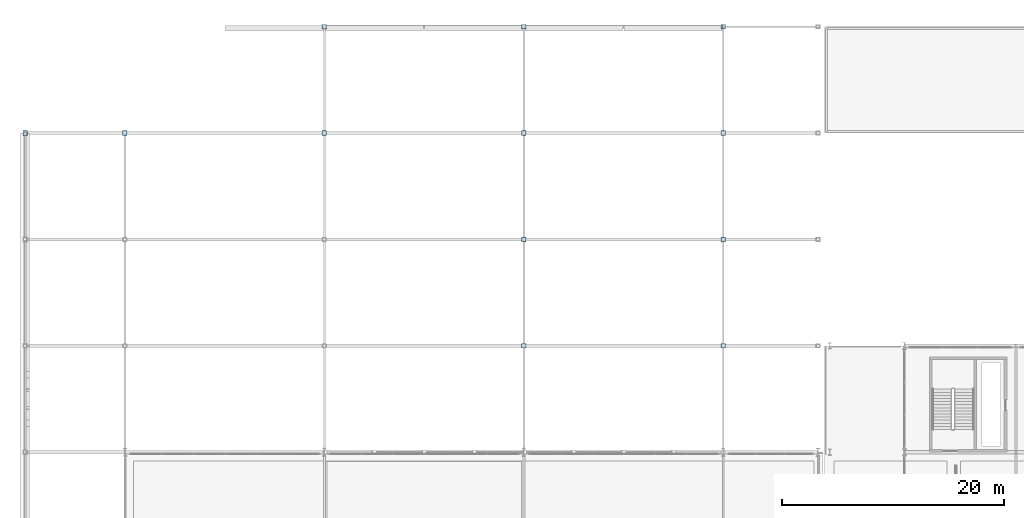
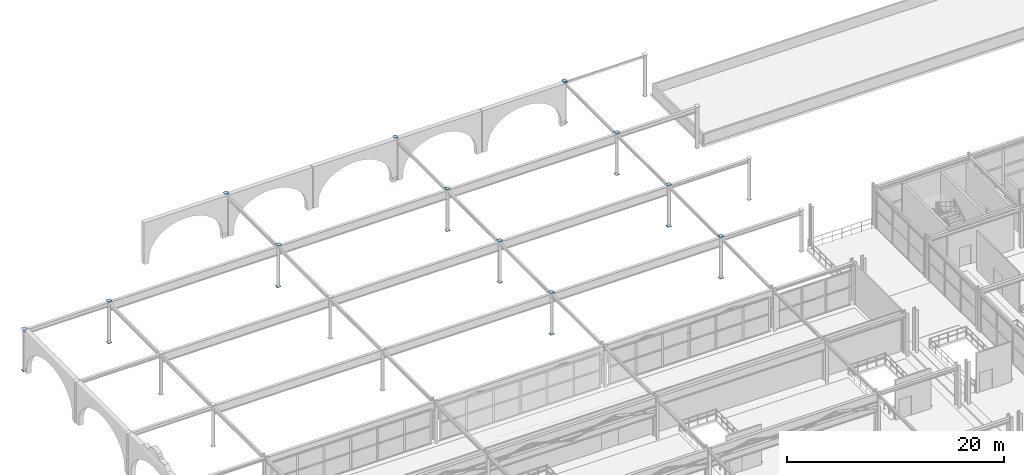
# One storey, part 69 of 125: 26 plates.
"""IFC4 building model written with IfcOpenShell, lengths in metres."""

from ifc_helpers import new_model, si_unit, direction, frame, origin, origin_2d, place, context, subcontext, project, spatial, rectangle, extrude, material, layer, layer_set, type_object, element, save


model = new_model("IFC4")

# Units and contexts
model_context = context("Model", 3, precision=1e-05, world=origin(), true_north=direction((0.0, 1.0)))
body_context = subcontext(model_context, "Body", "Model", "MODEL_VIEW")
ifc_project = project(units=[si_unit("LENGTHUNIT", "METRE"), si_unit("AREAUNIT", "SQUARE_METRE"), si_unit("VOLUMEUNIT", "CUBIC_METRE"), si_unit("PLANEANGLEUNIT", "RADIAN"), si_unit("MASSUNIT", "GRAM", prefix="KILO")], contexts=[model_context])

# Site, building, storey
site_placement = place(None, origin())
site = spatial("IfcSite", under=ifc_project, at=site_placement, CompositionType="ELEMENT")
building_placement = place(site_placement, origin())
building = spatial("IfcBuilding", under=site, at=building_placement, Name="Myrtia Square Station", CompositionType="ELEMENT")
storey_placement = place(building_placement, frame((0.0, 0.0, 6.0)))
storey = spatial("IfcBuildingStorey", under=building, at=storey_placement, Name="L01", CompositionType="ELEMENT", Elevation=6.0)

# Plates
ifc_material = material(Name="Steel S355", Category="steel")
ifc_layer_1 = layer(ifc_material, 0.01611328125, Name="Steel S355")
ifc_layer_set_1 = layer_set([ifc_layer_1], Name="Steel S355")
plate_type_1 = type_object("IfcPlateType", Name="PLT-GUS16", PredefinedType="USERDEFINED", material=ifc_layer_set_1)
for number, where, z_axis, x_axis, name in (
    (1, (63.050048828125, 124.800048828125, 4.421875), (0.0, 0.0, 1.0), (1.0, 0.0, 0.0), "Truss node gusset plate SPN-L01-0139-1"),
    (2, (0.0, 115.14990234375, 4.421875), (0.0, 0.0, 1.0), (0.0, 1.0, 0.0), "Truss node gusset plate SPNY-L01-0150-2"),
):
    element("IfcPlate", number, at=place(storey_placement, frame(where, z_axis=z_axis, x_axis=x_axis)), inside=storey, type_object=plate_type_1, Name=name, ObjectType="GUSSET PLATE", PredefinedType="USERDEFINED", context=body_context, shape_type="SweptSolid", body=[
        extrude(rectangle(XDim=0.280029296875, YDim=0.280029296875, at=origin_2d()), origin(), (0.0, 0.0, 1.0), 0.01611328125),
    ])
ifc_layer_2 = layer(ifc_material, 0.02001953125, Name="Steel S355")
ifc_layer_set_2 = layer_set([ifc_layer_2], Name="Steel S355")
plate_type_2 = type_object("IfcPlateType", Name="PLT-GUS20", PredefinedType="USERDEFINED", material=ifc_layer_set_2)
for number, where, z_axis, x_axis, name in (
    (3, (0.0, 115.199951171875, -0.010009765625), (0.0, 0.0, 1.0), (1.0, 0.0, 0.0), "Truss node gusset plate COL-L01-0036-1"),
    (4, (0.0, 115.199951171875, 4.669921875), (0.0, 0.0, 1.0), (1.0, 0.0, 0.0), "Truss node gusset plate COL-L01-0036-2"),
    (5, (9.0, 115.199951171875, -0.010009765625), (0.0, 0.0, 1.0), (1.0, 0.0, 0.0), "Truss node gusset plate COL-L01-0072-1"),
    (6, (9.0, 115.199951171875, 4.669921875), (0.0, 0.0, 1.0), (1.0, 0.0, 0.0), "Truss node gusset plate COL-L01-0072-2"),
    (7, (27.0, 115.199951171875, -0.010009765625), (0.0, 0.0, 1.0), (1.0, 0.0, 0.0), "Truss node gusset plate COL-L01-0111-1"),
    (8, (27.0, 115.199951171875, 4.669921875), (0.0, 0.0, 1.0), (1.0, 0.0, 0.0), "Truss node gusset plate COL-L01-0111-2"),
    (9, (27.0, 124.800048828125, -0.010009765625), (0.0, 0.0, 1.0), (1.0, 0.0, 0.0), "Truss node gusset plate COL-L01-0114-1"),
    (10, (27.0, 124.800048828125, 4.669921875), (0.0, 0.0, 1.0), (1.0, 0.0, 0.0), "Truss node gusset plate COL-L01-0114-2"),
    (11, (45.0, 96.0, -0.010009765625), (0.0, 0.0, 1.0), (1.0, 0.0, 0.0), "Truss node gusset plate COL-L01-0147-1"),
    (12, (45.0, 96.0, 4.669921875), (0.0, 0.0, 1.0), (1.0, 0.0, 0.0), "Truss node gusset plate COL-L01-0147-2"),
    (13, (45.0, 105.60009765625, -0.010009765625), (0.0, 0.0, 1.0), (1.0, 0.0, 0.0), "Truss node gusset plate COL-L01-0150-1"),
    (14, (45.0, 105.60009765625, 4.669921875), (0.0, 0.0, 1.0), (1.0, 0.0, 0.0), "Truss node gusset plate COL-L01-0150-2"),
    (15, (45.0, 115.199951171875, -0.010009765625), (0.0, 0.0, 1.0), (1.0, 0.0, 0.0), "Truss node gusset plate COL-L01-0153-1"),
    (16, (45.0, 115.199951171875, 4.669921875), (0.0, 0.0, 1.0), (1.0, 0.0, 0.0), "Truss node gusset plate COL-L01-0153-2"),
    (17, (45.0, 124.800048828125, -0.010009765625), (0.0, 0.0, 1.0), (1.0, 0.0, 0.0), "Truss node gusset plate COL-L01-0156-1"),
    (18, (45.0, 124.800048828125, 4.669921875), (0.0, 0.0, 1.0), (1.0, 0.0, 0.0), "Truss node gusset plate COL-L01-0156-2"),
    (19, (63.0, 96.0, -0.010009765625), (0.0, 0.0, 1.0), (1.0, 0.0, 0.0), "Truss node gusset plate COL-L01-0189-1"),
    (20, (63.0, 96.0, 4.669921875), (0.0, 0.0, 1.0), (1.0, 0.0, 0.0), "Truss node gusset plate COL-L01-0189-2"),
    (21, (63.0, 105.60009765625, -0.010009765625), (0.0, 0.0, 1.0), (1.0, 0.0, 0.0), "Truss node gusset plate COL-L01-0192-1"),
    (22, (63.0, 105.60009765625, 4.669921875), (0.0, 0.0, 1.0), (1.0, 0.0, 0.0), "Truss node gusset plate COL-L01-0192-2"),
    (23, (63.0, 115.199951171875, -0.010009765625), (0.0, 0.0, 1.0), (1.0, 0.0, 0.0), "Truss node gusset plate COL-L01-0195-1"),
    (24, (63.0, 115.199951171875, 4.669921875), (0.0, 0.0, 1.0), (1.0, 0.0, 0.0), "Truss node gusset plate COL-L01-0195-2"),
    (25, (63.0, 124.800048828125, -0.010009765625), (0.0, 0.0, 1.0), (1.0, 0.0, 0.0), "Truss node gusset plate COL-L01-0198-1"),
    (26, (63.0, 124.800048828125, 4.669921875), (0.0, 0.0, 1.0), (1.0, 0.0, 0.0), "Truss node gusset plate COL-L01-0198-2"),
):
    element("IfcPlate", number, at=place(storey_placement, frame(where, z_axis=z_axis, x_axis=x_axis)), inside=storey, type_object=plate_type_2, Name=name, ObjectType="GUSSET PLATE", PredefinedType="USERDEFINED", context=body_context, shape_type="SweptSolid", body=[
        extrude(rectangle(XDim=0.419921875, YDim=0.419921875, at=origin_2d()), origin(), (0.0, 0.0, 1.0), 0.02001953125),
    ])

save(model, "model.ifc")
